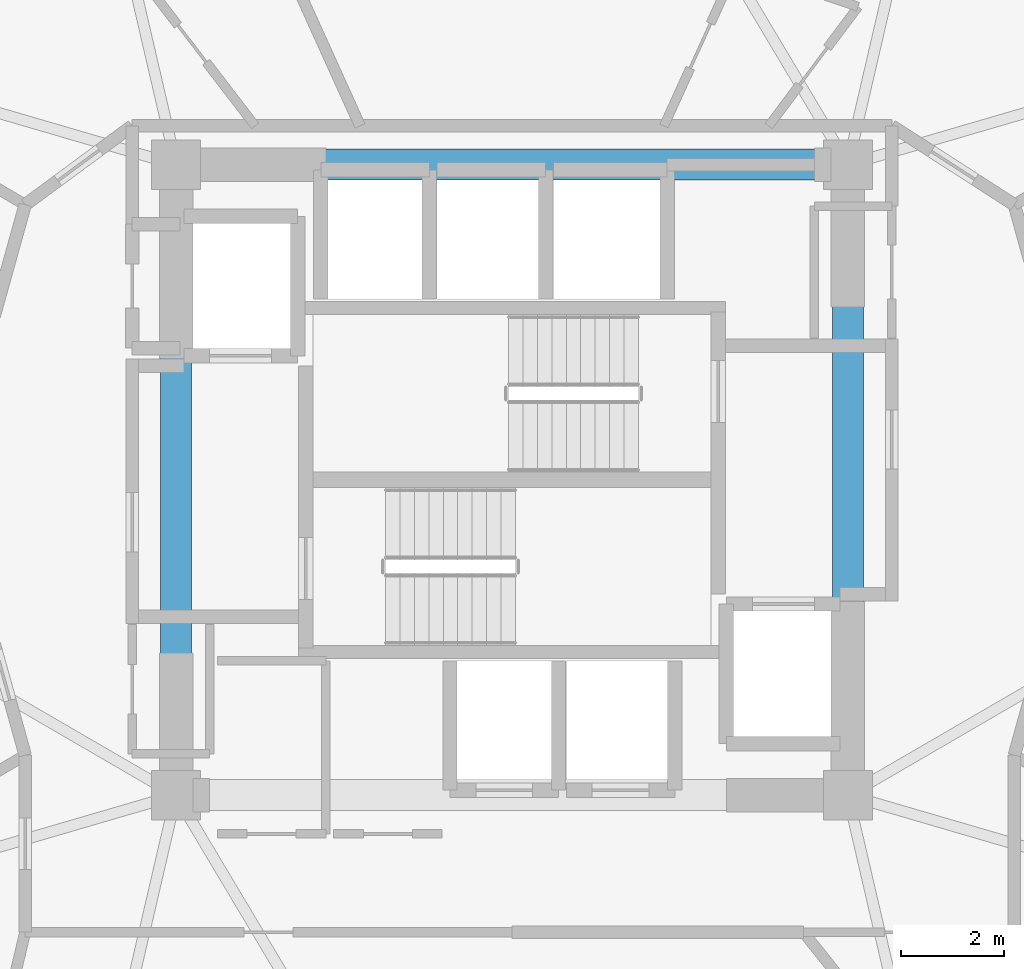
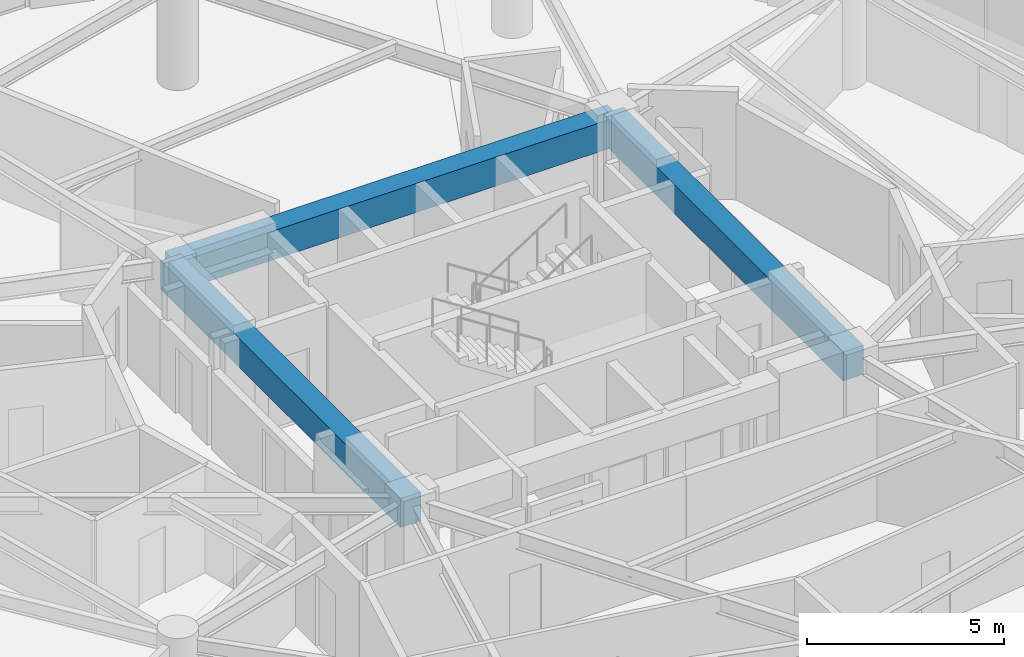
# One storey, part 5 of 21: 3 beams.
"""IFC4 building model written with IfcOpenShell, lengths in metres."""

from ifc_helpers import new_model, si_unit, direction, frame, origin, origin_2d, place, context, subcontext, project, spatial, rectangle, extrude, material, material_profile, profile_set, type_object, element, save


model = new_model("IFC4")

# Units and contexts
model_context = context("Model", 3, precision=1e-05, world=origin(), true_north=direction((0.0, 1.0)))
body_context = subcontext(model_context, "Body", "Model", "MODEL_VIEW")
ifc_project = project(units=[si_unit("LENGTHUNIT", "METRE"), si_unit("AREAUNIT", "SQUARE_METRE"), si_unit("VOLUMEUNIT", "CUBIC_METRE"), si_unit("PLANEANGLEUNIT", "RADIAN"), si_unit("MASSUNIT", "GRAM", prefix="KILO")], contexts=[model_context])

# Site, building, storey
site_placement = place(None, origin())
site = spatial("IfcSite", under=ifc_project, at=site_placement, CompositionType="ELEMENT")
building_placement = place(site_placement, origin())
building = spatial("IfcBuilding", under=site, at=building_placement, Name="Solvirekh Grand Hotel", CompositionType="ELEMENT")
storey_placement = place(building_placement, frame((0.0, 0.0, 131.39990234375)))
storey = spatial("IfcBuildingStorey", under=building, at=storey_placement, Name="L33", CompositionType="ELEMENT", Elevation=131.39990234375)

# Beams
ifc_material = material(Name="Concrete C50/60", Category="concrete")
ifc_material_profile = material_profile(ifc_material, rectangle(XDim=0.60009765625, YDim=0.89990234375, at=origin_2d()), Name="RC BEAM 600X900")
ifc_profile_set = profile_set([ifc_material_profile], Name="Concrete C50/60")
beam_type = type_object("IfcBeamType", Name="Beam_Core_RC900", PredefinedType="BEAM", material=ifc_profile_set)
beam_1_placement = place(storey_placement, frame((6.5, -6.10009765625, 2.900146484375), z_axis=(0.0, 1.0, 0.0), x_axis=(-1.0, 0.0, 0.0)))
element("IfcBeam", 1, at=beam_1_placement, inside=storey, type_object=beam_type, Name="L33 core coupling ring beam 2", PredefinedType="BEAM", context=body_context, shape_type="SweptSolid", body=[
    extrude(rectangle(XDim=0.60009765625, YDim=0.89990234375, at=origin_2d()), origin(), (0.0, 0.0, 1.0), 12.2001953125),
])
beam_2_placement = place(storey_placement, frame((6.5, 6.10009765625, 2.900146484375), z_axis=(-1.0, 0.0, 0.0), x_axis=(0.0, -1.0, 0.0)))
element("IfcBeam", 2, at=beam_2_placement, inside=storey, type_object=beam_type, Name="L33 core coupling ring beam 3", PredefinedType="BEAM", context=body_context, shape_type="SweptSolid", body=[
    extrude(rectangle(XDim=0.60009765625, YDim=0.89990234375, at=origin_2d()), origin(), (0.0, 0.0, 1.0), 13.0),
])
beam_3_placement = place(storey_placement, frame((-6.5, 6.10009765625, 2.900146484375), z_axis=(0.0, -1.0, 0.0), x_axis=(1.0, 0.0, 0.0)))
element("IfcBeam", 3, at=beam_3_placement, inside=storey, type_object=beam_type, Name="L33 core coupling ring beam 4", PredefinedType="BEAM", context=body_context, shape_type="SweptSolid", body=[
    extrude(rectangle(XDim=0.60009765625, YDim=0.89990234375, at=origin_2d()), origin(), (0.0, 0.0, 1.0), 12.2001953125),
])

save(model, "model.ifc")
